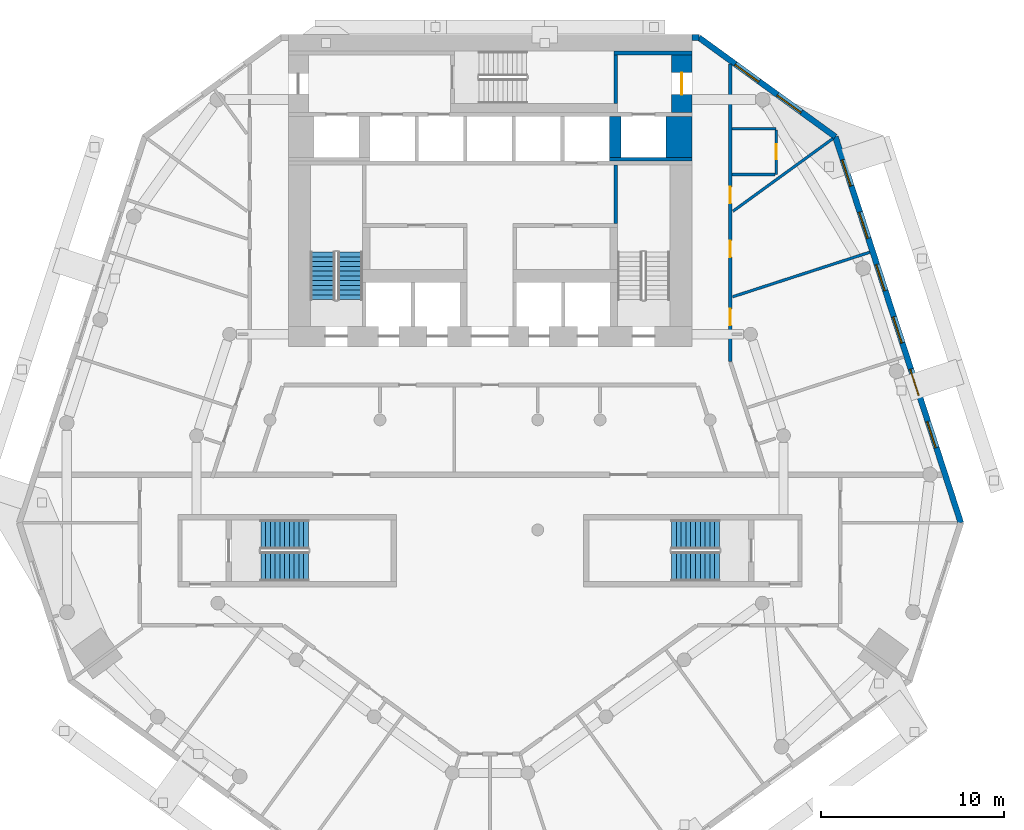
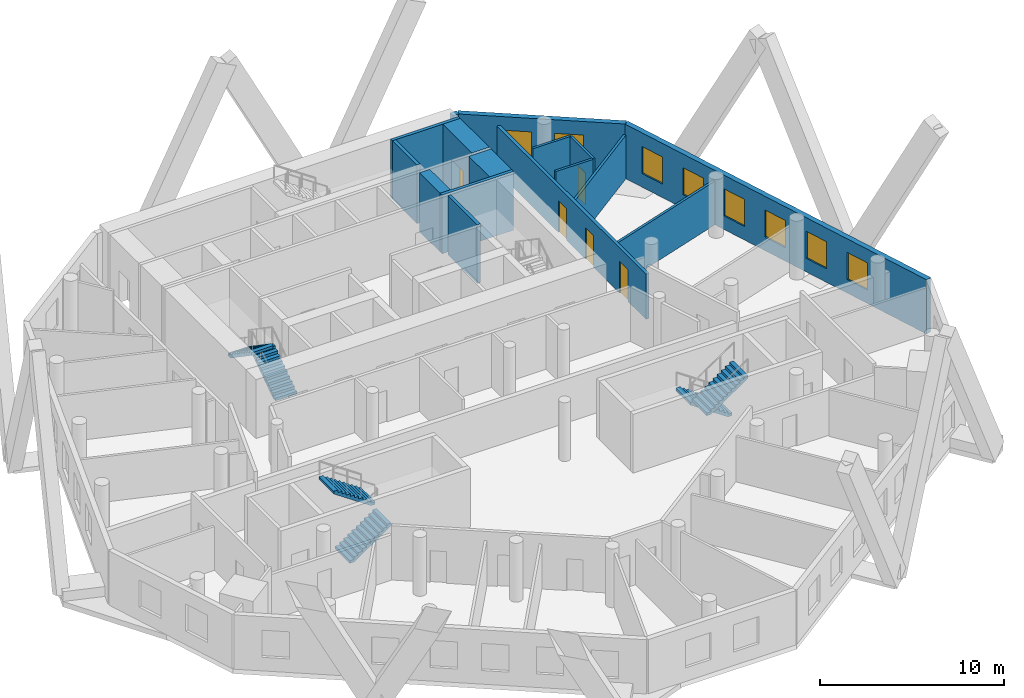
# One storey, part 7 of 10: 16 walls, 8 windows, 6 stair flights, 5 doors, 13 openings, 3 elements without a shape of their own.
"""IFC4 building model written with IfcOpenShell, lengths in metres."""

from ifc_helpers import new_model, si_unit, direction, frame, frame_2d, origin, place, context, subcontext, project, spatial, polyline, rectangle, outline, extrude, material, layer, layer_set, type_object, element, fill, aggregate, save


model = new_model("IFC4")

# Units and contexts
model_context = context("Model", 3, precision=1e-05, world=origin(), true_north=direction((0.0, 1.0)))
body_context = subcontext(model_context, "Body", "Model", "MODEL_VIEW")
ifc_project = project(units=[si_unit("LENGTHUNIT", "METRE"), si_unit("AREAUNIT", "SQUARE_METRE"), si_unit("VOLUMEUNIT", "CUBIC_METRE"), si_unit("PLANEANGLEUNIT", "RADIAN"), si_unit("MASSUNIT", "GRAM", prefix="KILO")], contexts=[model_context])

# Site, building, storey
site_placement = place(None, origin())
site = spatial("IfcSite", under=ifc_project, at=site_placement, CompositionType="ELEMENT")
building_placement = place(site_placement, origin())
building = spatial("IfcBuilding", under=site, at=building_placement, Name="White Candle Pilgrim Tower", CompositionType="ELEMENT")
storey_placement = place(building_placement, frame((0.0, 0.0, 102.5)))
storey = spatial("IfcBuildingStorey", under=building, at=storey_placement, Name="L22", CompositionType="ELEMENT", Elevation=102.5)

# Wall, opening, door
ifc_material_1 = material(Name="Concrete C60/75", Category="concrete")
ifc_layer_1 = layer(ifc_material_1, 1.10009765625)
ifc_layer_set_1 = layer_set([ifc_layer_1], Name="Core wall 1100 mm Concrete C60/75")
wall_type_1 = type_object("IfcWallType", Name="Core wall 1100 mm Concrete C60/75", PredefinedType="SHEAR", material=ifc_layer_set_1)
wall_1_placement = place(storey_placement, frame((80.449951171875, 83.75, 0.0), z_axis=(0.0, 0.0, 1.0), x_axis=(0.0, 1.0, 0.0)))
wall_1 = element("IfcWall", 1, at=wall_1_placement, inside=storey, type_object=wall_type_1, Name="WL-L22-C44", PredefinedType="SHEAR", context=body_context, shape_type="SweptSolid", body=[
    extrude(rectangle(XDim=3.14990234375, YDim=1.10009765625, at=frame_2d((1.574951171875, 0.0))), origin(), (0.0, 0.0, 1.0), 3.89990234375),
])
opening_1_placement = place(wall_1_placement, frame((0.97509765625, 0.0, 0.0)))
opening_1 = element("IfcOpeningElement", 2, at=opening_1_placement, cuts=wall_1, Name="Opening T07-006", PredefinedType="OPENING", context=body_context, shape_type="SweptSolid", body=[
    extrude(rectangle(XDim=1.199951171875, YDim=2.10009765625, at=frame_2d((0.60009765625, 1.050048828125))), frame((0.0, 0.56005859375, 0.0), z_axis=(0.0, -1.0, 0.0), x_axis=(1.0, 0.0, 0.0)), (0.0, 0.0, 1.0), 1.1201171875),
])
ifc_material_2 = material(Name="Steel door leaf", Category="steel")
door_type_1 = type_object("IfcDoorType", Name="Fire door 1200 x 2100 EI 30", OperationType="NOTDEFINED", PredefinedType="DOOR", material=ifc_material_2)
door_1_placement = place(opening_1_placement, origin())
door_1 = element("IfcDoor", 3, at=door_1_placement, inside=storey, type_object=door_type_1, Name="Door T07-006", OperationType="SINGLE_SWING_RIGHT", OverallHeight=2.10009765625, OverallWidth=1.199951171875, PredefinedType="DOOR", context=body_context, shape_type="SweptSolid", body=[
    extrude(rectangle(XDim=1.199951171875, YDim=2.10009765625, at=frame_2d((0.60009765625, 1.050048828125))), frame((0.0, 0.02490234375, 0.0), z_axis=(0.0, -1.0, 0.0), x_axis=(1.0, 0.0, 0.0)), (0.0, 0.0, 1.0), 0.050048828125),
])
fill(opening_1, door_1)

# Walls
ifc_layer_2 = layer(ifc_material_1, 1.39990234375)
ifc_layer_set_2 = layer_set([ifc_layer_2], Name="Core wall 1400 mm Concrete C60/75")
wall_type_2 = type_object("IfcWallType", Name="Core wall 1400 mm Concrete C60/75", PredefinedType="SHEAR", material=ifc_layer_set_2)
wall_2_placement = place(storey_placement, frame((80.300048828125, 81.300048828125, 0.0), z_axis=(0.0, 0.0, 1.0), x_axis=(0.0, 1.0, 0.0)))
element("IfcWall", 4, at=wall_2_placement, inside=storey, type_object=wall_type_2, Name="WL-L22-C40", PredefinedType="SHEAR", context=body_context, shape_type="SweptSolid", body=[
    extrude(rectangle(XDim=2.25, YDim=1.39990234375, at=frame_2d((1.125, 0.0))), origin(), (0.0, 0.0, 1.0), 3.89990234375),
])
ifc_layer_3 = layer(ifc_material_1, 0.199951171875)
ifc_layer_set_3 = layer_set([ifc_layer_3], Name="Core wall 200 mm Concrete C60/75")
wall_type_3 = type_object("IfcWallType", Name="Core wall 200 mm Concrete C60/75", PredefinedType="SHEAR", material=ifc_layer_set_3)
wall_3_placement = place(storey_placement, frame((76.5, 81.199951171875, 0.0), z_axis=(0.0, 0.0, 1.0), x_axis=(1.0, 0.0, 0.0)))
element("IfcWall", 5, at=wall_3_placement, inside=storey, type_object=wall_type_3, Name="WL-L22-C36", PredefinedType="SHEAR", context=body_context, shape_type="SweptSolid", body=[
    extrude(rectangle(XDim=4.5, YDim=0.199951171875, at=frame_2d((2.25, 0.0))), origin(), (0.0, 0.0, 1.0), 3.89990234375),
])

# Wall, openings, doors
ifc_material_3 = material(Name="Gypsum board on steel studs", Category="steel")
ifc_layer_4 = layer(ifc_material_3, 0.199951171875)
ifc_layer_set_4 = layer_set([ifc_layer_4], Name="Corridor wall 200 mm EI 45")
wall_type_4 = type_object("IfcWallType", Name="Corridor wall 200 mm EI 45", PredefinedType="PARTITIONING", material=ifc_layer_set_4)
wall_4_placement = place(storey_placement, frame((83.10009765625, 86.396240234375, 0.0), z_axis=(0.0, 0.0, 1.0), x_axis=(0.0, -1.0, 0.0)))
wall_4 = element("IfcWall", 6, at=wall_4_placement, inside=storey, type_object=wall_type_4, Name="WL-L22-P004", PredefinedType="PARTITIONING", context=body_context, shape_type="SweptSolid", body=[
    extrude(rectangle(XDim=16.221923828125, YDim=0.199951171875, at=frame_2d((8.11083984375, 0.0))), origin(), (0.0, 0.0, 1.0), 3.0),
])
opening_2_placement = place(wall_4_placement, frame((6.697998046875, 0.0, 0.0)))
opening_2 = element("IfcOpeningElement", 7, at=opening_2_placement, cuts=wall_4, Name="Opening T07-123", PredefinedType="OPENING", context=body_context, shape_type="SweptSolid", body=[
    extrude(rectangle(XDim=0.89990234375, YDim=2.10009765625, at=frame_2d((0.449951171875, 1.050048828125))), frame((0.0, 0.10986328125, 0.0), z_axis=(0.0, -1.0, 0.0), x_axis=(1.0, 0.0, 0.0)), (0.0, 0.0, 1.0), 0.219970703125),
])
opening_3_placement = place(wall_4_placement, frame((9.626953125, 0.0, 0.0)))
opening_3 = element("IfcOpeningElement", 8, at=opening_3_placement, cuts=wall_4, Name="Opening T07-124", PredefinedType="OPENING", context=body_context, shape_type="SweptSolid", body=[
    extrude(rectangle(XDim=0.89990234375, YDim=2.10009765625, at=frame_2d((0.449951171875, 1.050048828125))), frame((0.0, 0.10986328125, 0.0), z_axis=(0.0, -1.0, 0.0), x_axis=(1.0, 0.0, 0.0)), (0.0, 0.0, 1.0), 0.219970703125),
])
opening_4_placement = place(wall_4_placement, frame((13.338623046875, 0.0, 0.0)))
opening_4 = element("IfcOpeningElement", 9, at=opening_4_placement, cuts=wall_4, Name="Opening T07-125", PredefinedType="OPENING", context=body_context, shape_type="SweptSolid", body=[
    extrude(rectangle(XDim=0.89990234375, YDim=2.10009765625, at=frame_2d((0.449951171875, 1.050048828125))), frame((0.0, 0.10986328125, 0.0), z_axis=(0.0, -1.0, 0.0), x_axis=(1.0, 0.0, 0.0)), (0.0, 0.0, 1.0), 0.219970703125),
])
door_type_2 = type_object("IfcDoorType", Name="Fire door 900 x 2100 EI 30", OperationType="NOTDEFINED", PredefinedType="DOOR", material=ifc_material_2)
door_2_placement = place(opening_2_placement, origin())
door_2 = element("IfcDoor", 10, at=door_2_placement, inside=storey, type_object=door_type_2, Name="Door T07-123", OperationType="SINGLE_SWING_LEFT", OverallHeight=2.10009765625, OverallWidth=0.89990234375, PredefinedType="DOOR", context=body_context, shape_type="SweptSolid", body=[
    extrude(rectangle(XDim=0.89990234375, YDim=2.10009765625, at=frame_2d((0.449951171875, 1.050048828125))), frame((0.0, 0.02490234375, 0.0), z_axis=(0.0, -1.0, 0.0), x_axis=(1.0, 0.0, 0.0)), (0.0, 0.0, 1.0), 0.050048828125),
])
fill(opening_2, door_2)
door_3_placement = place(opening_3_placement, origin())
door_3 = element("IfcDoor", 11, at=door_3_placement, inside=storey, type_object=door_type_2, Name="Door T07-124", OperationType="SINGLE_SWING_RIGHT", OverallHeight=2.10009765625, OverallWidth=0.89990234375, PredefinedType="DOOR", context=body_context, shape_type="SweptSolid", body=[
    extrude(rectangle(XDim=0.89990234375, YDim=2.10009765625, at=frame_2d((0.449951171875, 1.050048828125))), frame((0.0, 0.02490234375, 0.0), z_axis=(0.0, -1.0, 0.0), x_axis=(1.0, 0.0, 0.0)), (0.0, 0.0, 1.0), 0.050048828125),
])
fill(opening_3, door_3)
door_4_placement = place(opening_4_placement, origin())
door_4 = element("IfcDoor", 12, at=door_4_placement, inside=storey, type_object=door_type_2, Name="Door T07-125", OperationType="SINGLE_SWING_LEFT", OverallHeight=2.10009765625, OverallWidth=0.89990234375, PredefinedType="DOOR", context=body_context, shape_type="SweptSolid", body=[
    extrude(rectangle(XDim=0.89990234375, YDim=2.10009765625, at=frame_2d((0.449951171875, 1.050048828125))), frame((0.0, 0.02490234375, 0.0), z_axis=(0.0, -1.0, 0.0), x_axis=(1.0, 0.0, 0.0)), (0.0, 0.0, 1.0), 0.050048828125),
])
fill(opening_4, door_4)

# Wall, openings, windows
ifc_material_4 = material(Name="Precast concrete C40/50", Category="concrete")
ifc_layer_5 = layer(ifc_material_4, 0.320068359375)
ifc_layer_set_5 = layer_set([ifc_layer_5], Name="Facade wall EW1 precast concrete C40/50 pier wall with timber-lined reveals")
wall_type_5 = type_object("IfcWallType", Name="Facade wall EW1 precast concrete C40/50 pier wall with timber-lined reveals", PredefinedType="SOLIDWALL", material=ifc_layer_set_5)
wall_5_placement = place(storey_placement, frame((95.66552734375, 61.38671875, 0.0), z_axis=(0.0, 0.0, 1.0), x_axis=(-0.30901996398, 0.951055551407, 0.0)))
wall_5 = element("IfcWall", 13, at=wall_5_placement, inside=storey, type_object=wall_type_5, Name="Facade wall L22 ENE", PredefinedType="SOLIDWALL", context=body_context, shape_type="SweptSolid", body=[
    extrude(rectangle(XDim=22.129150390625, YDim=0.320068359375, at=frame_2d((11.064453125, 0.0))), origin(), (0.0, 0.0, 1.0), 3.60009765625),
])
opening_5_placement = place(wall_5_placement, frame((4.314697265625, 0.0, 0.89990234375)))
opening_5 = element("IfcOpeningElement", 14, at=opening_5_placement, cuts=wall_5, Name="Opening W1", PredefinedType="OPENING", context=body_context, shape_type="SweptSolid", body=[
    extrude(rectangle(XDim=1.5, YDim=1.800048828125, at=frame_2d((0.75, 0.89990234375))), frame((0.0, 0.169921875, 0.0), z_axis=(0.0, -1.0, 0.0), x_axis=(1.0, 0.0, 0.0)), (0.0, 0.0, 1.0), 0.340087890625),
])
opening_6_placement = place(wall_5_placement, frame((7.314697265625, 0.0, 0.89990234375)))
opening_6 = element("IfcOpeningElement", 15, at=opening_6_placement, cuts=wall_5, Name="Opening W1", PredefinedType="OPENING", context=body_context, shape_type="SweptSolid", body=[
    extrude(rectangle(XDim=1.5, YDim=1.800048828125, at=frame_2d((0.75, 0.89990234375))), frame((0.0, 0.169921875, 0.0), z_axis=(0.0, -1.0, 0.0), x_axis=(1.0, 0.0, 0.0)), (0.0, 0.0, 1.0), 0.340087890625),
])
opening_7_placement = place(wall_5_placement, frame((10.314697265625, 0.0, 0.89990234375)))
opening_7 = element("IfcOpeningElement", 16, at=opening_7_placement, cuts=wall_5, Name="Opening W1", PredefinedType="OPENING", context=body_context, shape_type="SweptSolid", body=[
    extrude(rectangle(XDim=1.5, YDim=1.800048828125, at=frame_2d((0.75, 0.89990234375))), frame((0.0, 0.169921875, 0.0), z_axis=(0.0, -1.0, 0.0), x_axis=(1.0, 0.0, 0.0)), (0.0, 0.0, 1.0), 0.340087890625),
])
opening_8_placement = place(wall_5_placement, frame((13.314697265625, 0.0, 0.89990234375)))
opening_8 = element("IfcOpeningElement", 17, at=opening_8_placement, cuts=wall_5, Name="Opening W1", PredefinedType="OPENING", context=body_context, shape_type="SweptSolid", body=[
    extrude(rectangle(XDim=1.5, YDim=1.800048828125, at=frame_2d((0.75, 0.89990234375))), frame((0.0, 0.169921875, 0.0), z_axis=(0.0, -1.0, 0.0), x_axis=(1.0, 0.0, 0.0)), (0.0, 0.0, 1.0), 0.340087890625),
])
opening_9_placement = place(wall_5_placement, frame((16.314697265625, 0.0, 0.89990234375)))
opening_9 = element("IfcOpeningElement", 18, at=opening_9_placement, cuts=wall_5, Name="Opening W1", PredefinedType="OPENING", context=body_context, shape_type="SweptSolid", body=[
    extrude(rectangle(XDim=1.5, YDim=1.800048828125, at=frame_2d((0.75, 0.89990234375))), frame((0.0, 0.169921875, 0.0), z_axis=(0.0, -1.0, 0.0), x_axis=(1.0, 0.0, 0.0)), (0.0, 0.0, 1.0), 0.340087890625),
])
opening_10_placement = place(wall_5_placement, frame((19.314697265625, 0.0, 0.89990234375)))
opening_10 = element("IfcOpeningElement", 19, at=opening_10_placement, cuts=wall_5, Name="Opening W1", PredefinedType="OPENING", context=body_context, shape_type="SweptSolid", body=[
    extrude(rectangle(XDim=1.5, YDim=1.800048828125, at=frame_2d((0.75, 0.89990234375))), frame((0.0, 0.169921875, 0.0), z_axis=(0.0, -1.0, 0.0), x_axis=(1.0, 0.0, 0.0)), (0.0, 0.0, 1.0), 0.340087890625),
])
ifc_material_5 = material(Name="Timber frame with triple glazing", Category="wood")
window_type_1 = type_object("IfcWindowType", Name="Window W1 1500x1800 timber frame triple glazing", PartitioningType="SINGLE_PANEL", PredefinedType="WINDOW", material=ifc_material_5)
window_1_placement = place(opening_5_placement, origin())
window_1 = element("IfcWindow", 20, at=window_1_placement, inside=storey, type_object=window_type_1, Name="Window W1 L22 ENE 2", OverallHeight=1.800048828125, OverallWidth=1.5, PartitioningType="SINGLE_PANEL", PredefinedType="WINDOW", context=body_context, shape_type="SweptSolid", body=[
    extrude(rectangle(XDim=1.5, YDim=1.800048828125, at=frame_2d((0.75, 0.89990234375))), frame((0.0, 0.070068359375, 0.0), z_axis=(0.0, -1.0, 0.0), x_axis=(1.0, 0.0, 0.0)), (0.0, 0.0, 1.0), 0.06005859375),
])
fill(opening_5, window_1)
window_2_placement = place(opening_6_placement, origin())
window_2 = element("IfcWindow", 21, at=window_2_placement, inside=storey, type_object=window_type_1, Name="Window W1 L22 ENE 3", OverallHeight=1.800048828125, OverallWidth=1.5, PartitioningType="SINGLE_PANEL", PredefinedType="WINDOW", context=body_context, shape_type="SweptSolid", body=[
    extrude(rectangle(XDim=1.5, YDim=1.800048828125, at=frame_2d((0.75, 0.89990234375))), frame((0.0, 0.070068359375, 0.0), z_axis=(0.0, -1.0, 0.0), x_axis=(1.0, 0.0, 0.0)), (0.0, 0.0, 1.0), 0.06005859375),
])
fill(opening_6, window_2)
window_3_placement = place(opening_7_placement, origin())
window_3 = element("IfcWindow", 22, at=window_3_placement, inside=storey, type_object=window_type_1, Name="Window W1 L22 ENE 4", OverallHeight=1.800048828125, OverallWidth=1.5, PartitioningType="SINGLE_PANEL", PredefinedType="WINDOW", context=body_context, shape_type="SweptSolid", body=[
    extrude(rectangle(XDim=1.5, YDim=1.800048828125, at=frame_2d((0.75, 0.89990234375))), frame((0.0, 0.070068359375, 0.0), z_axis=(0.0, -1.0, 0.0), x_axis=(1.0, 0.0, 0.0)), (0.0, 0.0, 1.0), 0.06005859375),
])
fill(opening_7, window_3)
window_4_placement = place(opening_8_placement, origin())
window_4 = element("IfcWindow", 23, at=window_4_placement, inside=storey, type_object=window_type_1, Name="Window W1 L22 ENE 5", OverallHeight=1.800048828125, OverallWidth=1.5, PartitioningType="SINGLE_PANEL", PredefinedType="WINDOW", context=body_context, shape_type="SweptSolid", body=[
    extrude(rectangle(XDim=1.5, YDim=1.800048828125, at=frame_2d((0.75, 0.89990234375))), frame((0.0, 0.070068359375, 0.0), z_axis=(0.0, -1.0, 0.0), x_axis=(1.0, 0.0, 0.0)), (0.0, 0.0, 1.0), 0.06005859375),
])
fill(opening_8, window_4)
window_5_placement = place(opening_9_placement, origin())
window_5 = element("IfcWindow", 24, at=window_5_placement, inside=storey, type_object=window_type_1, Name="Window W1 L22 ENE 6", OverallHeight=1.800048828125, OverallWidth=1.5, PartitioningType="SINGLE_PANEL", PredefinedType="WINDOW", context=body_context, shape_type="SweptSolid", body=[
    extrude(rectangle(XDim=1.5, YDim=1.800048828125, at=frame_2d((0.75, 0.89990234375))), frame((0.0, 0.070068359375, 0.0), z_axis=(0.0, -1.0, 0.0), x_axis=(1.0, 0.0, 0.0)), (0.0, 0.0, 1.0), 0.06005859375),
])
fill(opening_9, window_5)
window_6_placement = place(opening_10_placement, origin())
window_6 = element("IfcWindow", 25, at=window_6_placement, inside=storey, type_object=window_type_1, Name="Window W1 L22 ENE 7", OverallHeight=1.800048828125, OverallWidth=1.5, PartitioningType="SINGLE_PANEL", PredefinedType="WINDOW", context=body_context, shape_type="SweptSolid", body=[
    extrude(rectangle(XDim=1.5, YDim=1.800048828125, at=frame_2d((0.75, 0.89990234375))), frame((0.0, 0.070068359375, 0.0), z_axis=(0.0, -1.0, 0.0), x_axis=(1.0, 0.0, 0.0)), (0.0, 0.0, 1.0), 0.06005859375),
])
fill(opening_10, window_6)

wall_6_placement = place(storey_placement, frame((88.8271484375, 82.432861328125, 0.0), z_axis=(0.0, 0.0, 1.0), x_axis=(-0.809006846007, 0.587799220069, 0.0)))
wall_6 = element("IfcWall", 26, at=wall_6_placement, inside=storey, type_object=wall_type_5, Name="Facade wall L22 NE chamfer", PredefinedType="SOLIDWALL", context=body_context, shape_type="SweptSolid", body=[
    extrude(rectangle(XDim=9.19921875, YDim=0.320068359375, at=frame_2d((4.599609375, 0.0))), origin(), (0.0, 0.0, 1.0), 3.60009765625),
])
opening_11_placement = place(wall_6_placement, frame((2.299560546875, 0.0, 0.89990234375)))
opening_11 = element("IfcOpeningElement", 27, at=opening_11_placement, cuts=wall_6, Name="Opening W2", PredefinedType="OPENING", context=body_context, shape_type="SweptSolid", body=[
    extrude(rectangle(XDim=1.60009765625, YDim=1.800048828125, at=frame_2d((0.800048828125, 0.89990234375))), frame((0.0, 0.169921875, 0.0), z_axis=(0.0, -1.0, 0.0), x_axis=(1.0, 0.0, 0.0)), (0.0, 0.0, 1.0), 0.340087890625),
])
opening_12_placement = place(wall_6_placement, frame((5.139404296875, 0.0, 0.89990234375)))
opening_12 = element("IfcOpeningElement", 28, at=opening_12_placement, cuts=wall_6, Name="Opening W2", PredefinedType="OPENING", context=body_context, shape_type="SweptSolid", body=[
    extrude(rectangle(XDim=1.60009765625, YDim=1.800048828125, at=frame_2d((0.800048828125, 0.89990234375))), frame((0.0, 0.169921875, 0.0), z_axis=(0.0, -1.0, 0.0), x_axis=(1.0, 0.0, 0.0)), (0.0, 0.0, 1.0), 0.340087890625),
])
window_type_2 = type_object("IfcWindowType", Name="Window W2 1600x1800 timber frame triple glazing", PartitioningType="SINGLE_PANEL", PredefinedType="WINDOW", material=ifc_material_5)
window_7_placement = place(opening_11_placement, origin())
window_7 = element("IfcWindow", 29, at=window_7_placement, inside=storey, type_object=window_type_2, Name="Window W2 L22 NE chamfer 1", OverallHeight=1.800048828125, OverallWidth=1.60009765625, PartitioningType="SINGLE_PANEL", PredefinedType="WINDOW", context=body_context, shape_type="SweptSolid", body=[
    extrude(rectangle(XDim=1.60009765625, YDim=1.800048828125, at=frame_2d((0.800048828125, 0.89990234375))), frame((0.0, 0.070068359375, 0.0), z_axis=(0.0, -1.0, 0.0), x_axis=(1.0, 0.0, 0.0)), (0.0, 0.0, 1.0), 0.06005859375),
])
fill(opening_11, window_7)
window_8_placement = place(opening_12_placement, origin())
window_8 = element("IfcWindow", 30, at=window_8_placement, inside=storey, type_object=window_type_2, Name="Window W2 L22 NE chamfer 2", OverallHeight=1.800048828125, OverallWidth=1.60009765625, PartitioningType="SINGLE_PANEL", PredefinedType="WINDOW", context=body_context, shape_type="SweptSolid", body=[
    extrude(rectangle(XDim=1.60009765625, YDim=1.800048828125, at=frame_2d((0.800048828125, 0.89990234375))), frame((0.0, 0.070068359375, 0.0), z_axis=(0.0, -1.0, 0.0), x_axis=(1.0, 0.0, 0.0)), (0.0, 0.0, 1.0), 0.06005859375),
])
fill(opening_12, window_8)

# Walls
wall_7_placement = place(storey_placement, frame((81.385009765625, 87.840087890625, 0.0), z_axis=(0.0, 0.0, 1.0), x_axis=(-1.0, 0.0, 0.0)))
element("IfcWall", 31, at=wall_7_placement, inside=storey, type_object=wall_type_5, Name="Facade wall L22 N", PredefinedType="SOLIDWALL", context=body_context, shape_type="SweptSolid", body=[
    extrude(rectangle(XDim=0.385009765625, YDim=0.320068359375, at=frame_2d((0.1923828125, 0.0))), origin(), (0.0, 0.0, 1.0), 3.60009765625),
])
ifc_layer_6 = layer(ifc_material_3, 0.14990234375)
ifc_layer_set_6 = layer_set([ifc_layer_6], Name="Partition 150 mm EI 60")
wall_type_6 = type_object("IfcWallType", Name="Partition 150 mm EI 60", PredefinedType="PARTITIONING", material=ifc_layer_set_6)
wall_8_placement = place(storey_placement, frame((88.691162109375, 82.333984375, 0.0), z_axis=(0.0, 0.0, 1.0), x_axis=(-0.809015103539, -0.587787854796, 0.0)))
element("IfcWall", 32, at=wall_8_placement, inside=storey, type_object=wall_type_6, Name="WL-L22-P023", PredefinedType="PARTITIONING", context=body_context, shape_type="SweptSolid", body=[
    extrude(rectangle(XDim=6.73291015625, YDim=0.14990234375, at=frame_2d((3.366455078125, 0.0))), origin(), (0.0, 0.0, 1.0), 2.89990234375),
])
wall_9_placement = place(storey_placement, frame((90.70361328125, 76.14013671875, 0.0), z_axis=(0.0, 0.0, 1.0), x_axis=(-0.951061437635, -0.309001847639, 0.0)))
element("IfcWall", 33, at=wall_9_placement, inside=storey, type_object=wall_type_6, Name="WL-L22-P036", PredefinedType="PARTITIONING", context=body_context, shape_type="SweptSolid", body=[
    extrude(rectangle(XDim=7.865478515625, YDim=0.14990234375, at=frame_2d((3.9326171875, 0.0))), origin(), (0.0, 0.0, 1.0), 2.89990234375),
])
wall_10_placement = place(storey_placement, frame((83.199951171875, 82.871826171875, 0.0), z_axis=(0.0, 0.0, 1.0), x_axis=(1.0, 0.0, 0.0)))
element("IfcWall", 34, at=wall_10_placement, inside=storey, type_object=wall_type_6, Name="WL-L22-P037", PredefinedType="PARTITIONING", context=body_context, shape_type="SweptSolid", body=[
    extrude(rectangle(XDim=2.400146484375, YDim=0.14990234375, at=frame_2d((1.2001953125, 0.0))), origin(), (0.0, 0.0, 1.0), 3.60009765625),
])

# Wall, opening, door
wall_11_placement = place(storey_placement, frame((85.60009765625, 80.371826171875, 0.0), z_axis=(0.0, 0.0, 1.0), x_axis=(0.0, 1.0, 0.0)))
wall_11 = element("IfcWall", 35, at=wall_11_placement, inside=storey, type_object=wall_type_6, Name="WL-L22-P038", PredefinedType="PARTITIONING", context=body_context, shape_type="SweptSolid", body=[
    extrude(rectangle(XDim=2.425048828125, YDim=0.14990234375, at=frame_2d((1.21240234375, 0.0))), origin(), (0.0, 0.0, 1.0), 3.60009765625),
])
opening_13_placement = place(wall_11_placement, frame((0.85009765625, 0.0, 0.0)))
opening_13 = element("IfcOpeningElement", 36, at=opening_13_placement, cuts=wall_11, Name="Opening T07-113", PredefinedType="OPENING", context=body_context, shape_type="SweptSolid", body=[
    extrude(rectangle(XDim=0.800048828125, YDim=2.10009765625, at=frame_2d((0.39990234375, 1.050048828125))), frame((0.0, 0.0849609375, 0.0), z_axis=(0.0, -1.0, 0.0), x_axis=(1.0, 0.0, 0.0)), (0.0, 0.0, 1.0), 0.169921875),
])
door_type_3 = type_object("IfcDoorType", Name="Fire door 800 x 2100 EI 30", OperationType="NOTDEFINED", PredefinedType="DOOR", material=ifc_material_2)
door_5_placement = place(opening_13_placement, frame((0.800048828125, 0.0, 0.0), z_axis=(0.0, 0.0, 1.0), x_axis=(-1.0, 0.0, 0.0)))
door_5 = element("IfcDoor", 37, at=door_5_placement, inside=storey, type_object=door_type_3, Name="Door T07-113", OperationType="SINGLE_SWING_RIGHT", OverallHeight=2.10009765625, OverallWidth=0.800048828125, PredefinedType="DOOR", context=body_context, shape_type="SweptSolid", body=[
    extrude(rectangle(XDim=0.800048828125, YDim=2.10009765625, at=frame_2d((0.39990234375, 1.050048828125))), frame((0.0, 0.02490234375, 0.0), z_axis=(0.0, -1.0, 0.0), x_axis=(1.0, 0.0, 0.0)), (0.0, 0.0, 1.0), 0.050048828125),
])
fill(opening_13, door_5)

# Walls
wall_12_placement = place(storey_placement, frame((83.199951171875, 80.371826171875, 0.0), z_axis=(0.0, 0.0, 1.0), x_axis=(1.0, 0.0, 0.0)))
element("IfcWall", 38, at=wall_12_placement, inside=storey, type_object=wall_type_6, Name="WL-L22-P039", PredefinedType="PARTITIONING", context=body_context, shape_type="SweptSolid", body=[
    extrude(rectangle(XDim=2.324951171875, YDim=0.14990234375, at=frame_2d((1.16259765625, 0.0))), origin(), (0.0, 0.0, 1.0), 3.60009765625),
])
ifc_layer_7 = layer(ifc_material_1, 0.64990234375)
ifc_layer_set_7 = layer_set([ifc_layer_7], Name="Shaft wall 650 mm Concrete C60/75")
wall_type_7 = type_object("IfcWallType", Name="Shaft wall 650 mm Concrete C60/75", PredefinedType="SHEAR", material=ifc_layer_set_7)
wall_13_placement = place(storey_placement, frame((76.824951171875, 81.300048828125, 0.0), z_axis=(0.0, 0.0, 1.0), x_axis=(0.0, 1.0, 0.0)))
element("IfcWall", 39, at=wall_13_placement, inside=storey, type_object=wall_type_7, Name="WL-L22-C39", PredefinedType="SHEAR", context=body_context, shape_type="SweptSolid", body=[
    extrude(rectangle(XDim=2.25, YDim=0.64990234375, at=frame_2d((1.125, 0.0))), origin(), (0.0, 0.0, 1.0), 3.89990234375),
])
ifc_layer_8 = layer(ifc_material_1, 0.199951171875)
ifc_layer_set_8 = layer_set([ifc_layer_8], Name="Stair shaft wall 200 mm Concrete C60/75")
wall_type_8 = type_object("IfcWallType", Name="Stair shaft wall 200 mm Concrete C60/75", PredefinedType="SHEAR", material=ifc_layer_set_8)
wall_14_placement = place(storey_placement, frame((76.85009765625, 77.699951171875, 0.0), z_axis=(0.0, 0.0, 1.0), x_axis=(0.0, 1.0, 0.0)))
element("IfcWall", 40, at=wall_14_placement, inside=storey, type_object=wall_type_8, Name="WL-L22-C29", PredefinedType="SHEAR", context=body_context, shape_type="SweptSolid", body=[
    extrude(rectangle(XDim=3.199951171875, YDim=0.199951171875, at=frame_2d((1.60009765625, 0.0))), origin(), (0.0, 0.0, 1.0), 3.89990234375),
])
wall_15_placement = place(storey_placement, frame((76.85009765625, 84.25, 0.0), z_axis=(0.0, 0.0, 1.0), x_axis=(0.0, 1.0, 0.0)))
element("IfcWall", 41, at=wall_15_placement, inside=storey, type_object=wall_type_8, Name="WL-L22-C46", PredefinedType="SHEAR", context=body_context, shape_type="SweptSolid", body=[
    extrude(rectangle(XDim=2.64990234375, YDim=0.199951171875, at=frame_2d((1.324951171875, 0.0))), origin(), (0.0, 0.0, 1.0), 3.89990234375),
])
wall_16_placement = place(storey_placement, frame((76.75, 87.0, 0.0), z_axis=(0.0, 0.0, 1.0), x_axis=(1.0, 0.0, 0.0)))
element("IfcWall", 42, at=wall_16_placement, inside=storey, type_object=wall_type_8, Name="WL-L22-C48", PredefinedType="SHEAR", context=body_context, shape_type="SweptSolid", body=[
    extrude(rectangle(XDim=4.25, YDim=0.199951171875, at=frame_2d((2.125, 0.0))), origin(), (0.0, 0.0, 1.0), 3.89990234375),
])

# Stair, stair flights
ifc_material_6 = material(Name="Concrete C40/50", Category="concrete")
stair_type_1 = type_object("IfcStairType", Name="Exit stair 1 flight width 1350 mm", PredefinedType="HALF_TURN_STAIR", material=ifc_material_6)
stair_1_placement = place(storey_placement, origin())
stair_1 = element("IfcStair", 43, at=stair_1_placement, inside=storey, type_object=stair_type_1, Name="L22 stair 1", PredefinedType="NOTDEFINED")
ifc_layer_9 = layer(ifc_material_6, 0.14990234375)
ifc_layer_set_9 = layer_set([ifc_layer_9], Name="Stair flight Concrete C40/50")
stair_flight_type = type_object("IfcStairFlightType", Name="Stair flight Concrete C40/50", PredefinedType="STRAIGHT", material=ifc_layer_set_9)
stair_flight_1_placement = place(storey_placement, frame((62.375, 73.550048828125, 0.0), z_axis=(0.0, 0.0, 1.0), x_axis=(0.0, 1.0, 0.0)))
stair_flight_1 = element("IfcStairFlight", 44, at=stair_flight_1_placement, type_object=stair_flight_type, Name="ST1 flight 1", NumberOfRisers=11, NumberOfTreads=10, PredefinedType="NOTDEFINED", RiserHeight=0.177272727, TreadLength=0.26, context=body_context, shape_type="SweptSolid", body=[
    extrude(outline(polyline([(0.0, 0.0), (0.0, 0.17724609375), (0.260009765625, 0.17724609375), (0.260009765625, 0.3544921875), (0.52001953125, 0.3544921875), (0.52001953125, 0.53173828125), (0.780029296875, 0.53173828125), (0.780029296875, 0.708984375), (1.0400390625, 0.708984375), (1.0400390625, 0.886474609375), (1.300048828125, 0.886474609375), (1.300048828125, 1.063720703125), (1.56005859375, 1.063720703125), (1.56005859375, 1.240966796875), (1.820068359375, 1.240966796875), (1.820068359375, 1.418212890625), (2.080078125, 1.418212890625), (2.080078125, 1.595458984375), (2.340087890625, 1.595458984375), (2.340087890625, 1.772705078125), (2.60009765625, 1.772705078125), (2.60009765625, 1.949951171875), (2.60009765625, 1.59130859375), (0.26611328125, 0.0), (0.0, 0.0)])), frame((0.0, 0.675048828125, 0.0), z_axis=(0.0, -1.0, 0.0), x_axis=(1.0, 0.0, 0.0)), (0.0, 0.0, 1.0), 1.35009765625),
])
stair_flight_2_placement = place(storey_placement, frame((60.875, 76.14990234375, 1.949951171875), z_axis=(0.0, 0.0, 1.0), x_axis=(0.0, -1.0, 0.0)))
stair_flight_2 = element("IfcStairFlight", 45, at=stair_flight_2_placement, type_object=stair_flight_type, Name="ST1 flight 2", NumberOfRisers=11, NumberOfTreads=10, PredefinedType="NOTDEFINED", RiserHeight=0.177272727, TreadLength=0.26, context=body_context, shape_type="SweptSolid", body=[
    extrude(outline(polyline([(0.0, 0.0), (0.0, 0.17724609375), (0.260009765625, 0.17724609375), (0.260009765625, 0.3544921875), (0.52001953125, 0.3544921875), (0.52001953125, 0.53173828125), (0.780029296875, 0.53173828125), (0.780029296875, 0.708984375), (1.0400390625, 0.708984375), (1.0400390625, 0.886474609375), (1.300048828125, 0.886474609375), (1.300048828125, 1.063720703125), (1.56005859375, 1.063720703125), (1.56005859375, 1.240966796875), (1.820068359375, 1.240966796875), (1.820068359375, 1.418212890625), (2.080078125, 1.418212890625), (2.080078125, 1.595458984375), (2.340087890625, 1.595458984375), (2.340087890625, 1.772705078125), (2.60009765625, 1.772705078125), (2.60009765625, 1.949951171875), (2.60009765625, 1.59130859375), (0.26611328125, 0.0), (0.0, 0.0)])), frame((0.0, 0.675048828125, 0.0), z_axis=(0.0, -1.0, 0.0), x_axis=(1.0, 0.0, 0.0)), (0.0, 0.0, 1.0), 1.35009765625),
])
aggregate(stair_1, [stair_flight_1, stair_flight_2])

stair_type_2 = type_object("IfcStairType", Name="Exit stair 4 flight width 1600 mm", PredefinedType="HALF_TURN_STAIR", material=ifc_material_6)
stair_2_placement = place(storey_placement, origin())
stair_2 = element("IfcStair", 46, at=stair_2_placement, inside=storey, type_object=stair_type_2, Name="L22 stair 4", PredefinedType="NOTDEFINED")
stair_flight_3_placement = place(storey_placement, frame((82.5, 60.75, 0.0), z_axis=(0.0, 0.0, 1.0), x_axis=(-1.0, 0.0, 0.0)))
stair_flight_3 = element("IfcStairFlight", 47, at=stair_flight_3_placement, type_object=stair_flight_type, Name="ST4 flight 1", NumberOfRisers=11, NumberOfTreads=10, PredefinedType="NOTDEFINED", RiserHeight=0.177272727, TreadLength=0.26, context=body_context, shape_type="SweptSolid", body=[
    extrude(outline(polyline([(0.0, 0.0), (0.0, 0.17724609375), (0.260009765625, 0.17724609375), (0.260009765625, 0.3544921875), (0.52001953125, 0.3544921875), (0.52001953125, 0.53173828125), (0.780029296875, 0.53173828125), (0.780029296875, 0.708984375), (1.0400390625, 0.708984375), (1.0400390625, 0.886474609375), (1.300048828125, 0.886474609375), (1.300048828125, 1.063720703125), (1.56005859375, 1.063720703125), (1.56005859375, 1.240966796875), (1.820068359375, 1.240966796875), (1.820068359375, 1.418212890625), (2.080078125, 1.418212890625), (2.080078125, 1.595458984375), (2.340087890625, 1.595458984375), (2.340087890625, 1.772705078125), (2.60009765625, 1.772705078125), (2.60009765625, 1.949951171875), (2.60009765625, 1.59130859375), (0.26611328125, 0.0), (0.0, 0.0)])), frame((0.0, 0.800048828125, 0.0), z_axis=(0.0, -1.0, 0.0), x_axis=(1.0, 0.0, 0.0)), (0.0, 0.0, 1.0), 1.60009765625),
])
stair_flight_4_placement = place(storey_placement, frame((79.89990234375, 59.0, 1.949951171875), z_axis=(0.0, 0.0, 1.0), x_axis=(1.0, 0.0, 0.0)))
stair_flight_4 = element("IfcStairFlight", 48, at=stair_flight_4_placement, type_object=stair_flight_type, Name="ST4 flight 2", NumberOfRisers=11, NumberOfTreads=10, PredefinedType="NOTDEFINED", RiserHeight=0.177272727, TreadLength=0.26, context=body_context, shape_type="SweptSolid", body=[
    extrude(outline(polyline([(0.0, 0.0), (0.0, 0.17724609375), (0.260009765625, 0.17724609375), (0.260009765625, 0.3544921875), (0.52001953125, 0.3544921875), (0.52001953125, 0.53173828125), (0.780029296875, 0.53173828125), (0.780029296875, 0.708984375), (1.0400390625, 0.708984375), (1.0400390625, 0.886474609375), (1.300048828125, 0.886474609375), (1.300048828125, 1.063720703125), (1.56005859375, 1.063720703125), (1.56005859375, 1.240966796875), (1.820068359375, 1.240966796875), (1.820068359375, 1.418212890625), (2.080078125, 1.418212890625), (2.080078125, 1.595458984375), (2.340087890625, 1.595458984375), (2.340087890625, 1.772705078125), (2.60009765625, 1.772705078125), (2.60009765625, 1.949951171875), (2.60009765625, 1.59130859375), (0.26611328125, 0.0), (0.0, 0.0)])), frame((0.0, 0.800048828125, 0.0), z_axis=(0.0, -1.0, 0.0), x_axis=(1.0, 0.0, 0.0)), (0.0, 0.0, 1.0), 1.60009765625),
])
aggregate(stair_2, [stair_flight_3, stair_flight_4])

stair_type_3 = type_object("IfcStairType", Name="Exit stair 5 flight width 1600 mm", PredefinedType="HALF_TURN_STAIR", material=ifc_material_6)
stair_3_placement = place(storey_placement, origin())
stair_3 = element("IfcStair", 49, at=stair_3_placement, inside=storey, type_object=stair_type_3, Name="L22 stair 5", PredefinedType="NOTDEFINED")
stair_flight_5_placement = place(storey_placement, frame((57.5, 59.0, 0.0), z_axis=(0.0, 0.0, 1.0), x_axis=(1.0, 0.0, 0.0)))
stair_flight_5 = element("IfcStairFlight", 50, at=stair_flight_5_placement, type_object=stair_flight_type, Name="ST5 flight 1", NumberOfRisers=11, NumberOfTreads=10, PredefinedType="NOTDEFINED", RiserHeight=0.177272727, TreadLength=0.26, context=body_context, shape_type="SweptSolid", body=[
    extrude(outline(polyline([(0.0, 0.0), (0.0, 0.17724609375), (0.260009765625, 0.17724609375), (0.260009765625, 0.3544921875), (0.52001953125, 0.3544921875), (0.52001953125, 0.53173828125), (0.780029296875, 0.53173828125), (0.780029296875, 0.708984375), (1.0400390625, 0.708984375), (1.0400390625, 0.886474609375), (1.300048828125, 0.886474609375), (1.300048828125, 1.063720703125), (1.56005859375, 1.063720703125), (1.56005859375, 1.240966796875), (1.820068359375, 1.240966796875), (1.820068359375, 1.418212890625), (2.080078125, 1.418212890625), (2.080078125, 1.595458984375), (2.340087890625, 1.595458984375), (2.340087890625, 1.772705078125), (2.60009765625, 1.772705078125), (2.60009765625, 1.949951171875), (2.60009765625, 1.59130859375), (0.26611328125, 0.0), (0.0, 0.0)])), frame((0.0, 0.800048828125, 0.0), z_axis=(0.0, -1.0, 0.0), x_axis=(1.0, 0.0, 0.0)), (0.0, 0.0, 1.0), 1.60009765625),
])
stair_flight_6_placement = place(storey_placement, frame((60.10009765625, 60.75, 1.949951171875), z_axis=(0.0, 0.0, 1.0), x_axis=(-1.0, 0.0, 0.0)))
stair_flight_6 = element("IfcStairFlight", 51, at=stair_flight_6_placement, type_object=stair_flight_type, Name="ST5 flight 2", NumberOfRisers=11, NumberOfTreads=10, PredefinedType="NOTDEFINED", RiserHeight=0.177272727, TreadLength=0.26, context=body_context, shape_type="SweptSolid", body=[
    extrude(outline(polyline([(0.0, 0.0), (0.0, 0.17724609375), (0.260009765625, 0.17724609375), (0.260009765625, 0.3544921875), (0.52001953125, 0.3544921875), (0.52001953125, 0.53173828125), (0.780029296875, 0.53173828125), (0.780029296875, 0.708984375), (1.0400390625, 0.708984375), (1.0400390625, 0.886474609375), (1.300048828125, 0.886474609375), (1.300048828125, 1.063720703125), (1.56005859375, 1.063720703125), (1.56005859375, 1.240966796875), (1.820068359375, 1.240966796875), (1.820068359375, 1.418212890625), (2.080078125, 1.418212890625), (2.080078125, 1.595458984375), (2.340087890625, 1.595458984375), (2.340087890625, 1.772705078125), (2.60009765625, 1.772705078125), (2.60009765625, 1.949951171875), (2.60009765625, 1.59130859375), (0.26611328125, 0.0), (0.0, 0.0)])), frame((0.0, 0.800048828125, 0.0), z_axis=(0.0, -1.0, 0.0), x_axis=(1.0, 0.0, 0.0)), (0.0, 0.0, 1.0), 1.60009765625),
])
aggregate(stair_3, [stair_flight_5, stair_flight_6])

save(model, "model.ifc")
